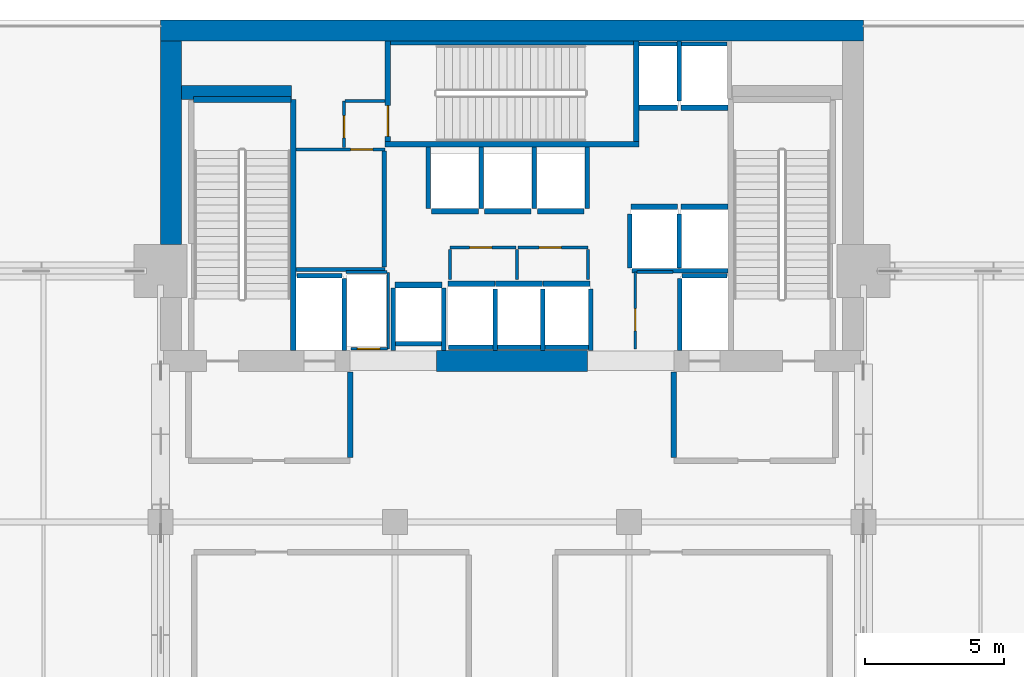
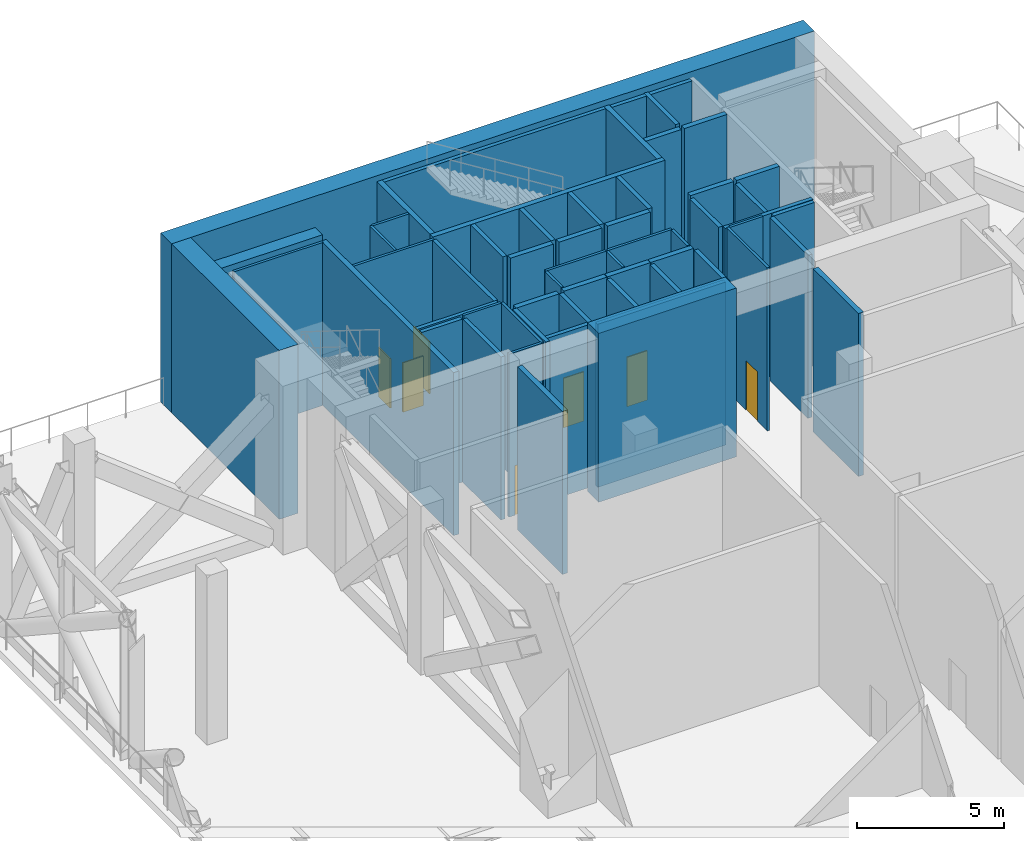
# One storey, part 10 of 14: 58 walls, 7 doors, 7 openings.
"""IFC4 building model written with IfcOpenShell, lengths in metres."""

from ifc_helpers import new_model, si_unit, direction, frame, frame_2d, origin, place, context, subcontext, project, spatial, rectangle, extrude, material, layer, layer_set, type_object, element, fill, save


model = new_model("IFC4")

# Units and contexts
model_context = context("Model", 3, precision=1e-05, world=origin(), true_north=direction((0.0, 1.0)))
body_context = subcontext(model_context, "Body", "Model", "MODEL_VIEW")
ifc_project = project(units=[si_unit("LENGTHUNIT", "METRE"), si_unit("AREAUNIT", "SQUARE_METRE"), si_unit("VOLUMEUNIT", "CUBIC_METRE"), si_unit("PLANEANGLEUNIT", "RADIAN"), si_unit("MASSUNIT", "GRAM", prefix="KILO")], contexts=[model_context])

# Site, building, storey
site_placement = place(None, origin())
site = spatial("IfcSite", under=ifc_project, at=site_placement, CompositionType="ELEMENT")
building_placement = place(site_placement, origin())
building = spatial("IfcBuilding", under=site, at=building_placement, Name="Maruvema Waterfront Hotel and Observation Tower", CompositionType="ELEMENT")
storey_placement = place(building_placement, frame((0.0, 0.0, 227.5)))
storey = spatial("IfcBuildingStorey", under=building, at=storey_placement, Name="L56", CompositionType="ELEMENT", Elevation=227.5)

# Walls
ifc_material_1 = material(Name="Twin-stud acoustic gypsum drywall", Category="gypsum")
ifc_layer_1 = layer(ifc_material_1, 0.14990234375, Name="Acoustic Corridor and Suite Demising Wall 150 mm")
ifc_layer_set_1 = layer_set([ifc_layer_1], Name="Twin-stud acoustic gypsum drywall")
wall_type_1 = type_object("IfcWallType", Name="Acoustic Corridor and Suite Demising Wall 150 mm", PredefinedType="PARTITIONING", material=ifc_layer_set_1)
wall_1_placement = place(storey_placement, frame((30.06005859375, 45.06005859375, 0.0), z_axis=(0.0, 0.0, 1.0), x_axis=(1.0, 0.0, 0.0)))
element("IfcWall", 1, at=wall_1_placement, inside=storey, type_object=wall_type_1, Name="L56 Freed B1 South Wall 017", PredefinedType="PARTITIONING", context=body_context, shape_type="SweptSolid", body=[
    extrude(rectangle(XDim=3.179931640625, YDim=0.14990234375, at=frame_2d((1.58984375, 0.0))), origin(), (0.0, 0.0, 1.0), 6.760009765625),
])
wall_2_placement = place(storey_placement, frame((33.219970703125, 45.139892578125, 0.0), z_axis=(0.0, 0.0, 1.0), x_axis=(0.0, 1.0, 0.0)))
element("IfcWall", 2, at=wall_2_placement, inside=storey, type_object=wall_type_1, Name="L56 Freed B1 East Wall 018", PredefinedType="PARTITIONING", context=body_context, shape_type="SweptSolid", body=[
    extrude(rectangle(XDim=4.16015625, YDim=0.14990234375, at=frame_2d((2.080078125, 0.0))), origin(), (0.0, 0.0, 1.0), 6.760009765625),
])
ifc_material_2 = material(Name="Precast concrete C45/55", Category="concrete")
ifc_layer_2 = layer(ifc_material_2, 0.14990234375, Name="Core Shaft Furring Wall 150 mm")
ifc_layer_set_2 = layer_set([ifc_layer_2], Name="Precast concrete C45/55")
wall_type_2 = type_object("IfcWallType", Name="Core Shaft Furring Wall 150 mm", PredefinedType="SOLIDWALL", material=ifc_layer_set_2)
wall_3_placement = place(storey_placement, frame((33.449951171875, 53.175048828125, 0.0), z_axis=(0.0, 0.0, 1.0), x_axis=(1.0, 0.0, 0.0)))
element("IfcWall", 3, at=wall_3_placement, inside=storey, type_object=wall_type_2, Name="L56 Stairwell ST-02 North Furring Wall", PredefinedType="SOLIDWALL", context=body_context, shape_type="SweptSolid", body=[
    extrude(rectangle(XDim=8.699951171875, YDim=0.14990234375, at=frame_2d((4.35009765625, 0.0))), origin(), (0.0, 0.0, 1.0), 6.760009765625),
])
ifc_material_3 = material(Name="Precast concrete C45/55", Category="concrete")
ifc_layer_3 = layer(ifc_material_3, 0.199951171875, Name="Core Shaft and Stairwell Enclosure Wall 200 mm")
ifc_layer_set_3 = layer_set([ifc_layer_3], Name="Precast concrete C45/55")
wall_type_3 = type_object("IfcWallType", Name="Core Shaft and Stairwell Enclosure Wall 200 mm", PredefinedType="SOLIDWALL", material=ifc_layer_set_3)
wall_4_placement = place(storey_placement, frame((29.949951171875, 42.14990234375, 0.0), z_axis=(0.0, 0.0, 1.0), x_axis=(0.0, 1.0, 0.0)))
element("IfcWall", 4, at=wall_4_placement, inside=storey, type_object=wall_type_3, Name="L56 Stairwell ST-01 East Shaft Wall", PredefinedType="SOLIDWALL", context=body_context, shape_type="SweptSolid", body=[
    extrude(rectangle(XDim=9.0, YDim=0.199951171875, at=frame_2d((4.5, 0.0))), origin(), (0.0, 0.0, 1.0), 6.760009765625),
])
wall_5_placement = place(storey_placement, frame((26.3798828125, 51.14990234375, 0.0), z_axis=(0.0, 0.0, 1.0), x_axis=(1.0, 0.0, 0.0)))
element("IfcWall", 5, at=wall_5_placement, inside=storey, type_object=wall_type_3, Name="L56 Stairwell ST-01 Shaft Lining Wall", PredefinedType="SOLIDWALL", context=body_context, shape_type="SweptSolid", body=[
    extrude(rectangle(XDim=3.5, YDim=0.199951171875, at=frame_2d((1.75, 0.0))), origin(), (0.0, 0.0, 1.0), 6.760009765625),
])
wall_6_placement = place(storey_placement, frame((33.25, 49.550048828125, 0.0), z_axis=(0.0, 0.0, 1.0), x_axis=(1.0, 0.0, 0.0)))
element("IfcWall", 6, at=wall_6_placement, inside=storey, type_object=wall_type_3, Name="L56 Stairwell ST-02 Shaft Wall", PredefinedType="SOLIDWALL", context=body_context, shape_type="SweptSolid", body=[
    extrude(rectangle(XDim=9.10009765625, YDim=0.199951171875, at=frame_2d((4.550048828125, 0.0))), origin(), (0.0, 0.0, 1.0), 6.760009765625),
])
wall_7_placement = place(storey_placement, frame((42.25, 49.64990234375, 0.0), z_axis=(0.0, 0.0, 1.0), x_axis=(0.0, 1.0, 0.0)))
element("IfcWall", 7, at=wall_7_placement, inside=storey, type_object=wall_type_3, Name="L56 Stairwell ST-02 Shaft Wall", PredefinedType="SOLIDWALL", context=body_context, shape_type="SweptSolid", body=[
    extrude(rectangle(XDim=3.60009765625, YDim=0.199951171875, at=frame_2d((1.800048828125, 0.0))), origin(), (0.0, 0.0, 1.0), 6.760009765625),
])

# Wall, opening, door
wall_8_placement = place(storey_placement, frame((33.35009765625, 49.64990234375, 0.0), z_axis=(0.0, 0.0, 1.0), x_axis=(0.0, 1.0, 0.0)))
wall_8 = element("IfcWall", 8, at=wall_8_placement, inside=storey, type_object=wall_type_3, Name="L56 Stairwell ST-02 Shaft Wall", PredefinedType="SOLIDWALL", context=body_context, shape_type="SweptSolid", body=[
    extrude(rectangle(XDim=3.60009765625, YDim=0.199951171875, at=frame_2d((1.800048828125, 0.0))), origin(), (0.0, 0.0, 1.0), 6.760009765625),
])
opening_1_placement = place(wall_8_placement, frame((0.179931640625, 0.0, 0.0)))
opening_1 = element("IfcOpeningElement", 9, at=opening_1_placement, cuts=wall_8, Name="Opening SD-02", PredefinedType="OPENING", context=body_context, shape_type="SweptSolid", body=[
    extrude(rectangle(XDim=1.10009765625, YDim=2.14990234375, at=frame_2d((0.550048828125, 1.074951171875))), frame((0.0, 0.10986328125, 0.0), z_axis=(0.0, -1.0, 0.0), x_axis=(1.0, 0.0, 0.0)), (0.0, 0.0, 1.0), 0.219970703125),
])
ifc_material_4 = material(Name="Fire-rated galvanised steel leaf", Category="steel")
door_type_1 = type_object("IfcDoorType", Name="Central Exit Stair Fire Door 1100x2150 mm", OperationType="NOTDEFINED", PredefinedType="DOOR", material=ifc_material_4)
door_1_placement = place(opening_1_placement, frame((1.10009765625, 0.0, 0.0), z_axis=(0.0, 0.0, 1.0), x_axis=(-1.0, 0.0, 0.0)))
door_1 = element("IfcDoor", 10, at=door_1_placement, inside=storey, type_object=door_type_1, Name="L56 Exit Stair ST-02 Fire Door", OperationType="SINGLE_SWING_LEFT", OverallHeight=2.14990234375, OverallWidth=1.10009765625, PredefinedType="DOOR", context=body_context, shape_type="SweptSolid", body=[
    extrude(rectangle(XDim=1.10009765625, YDim=2.14990234375, at=frame_2d((0.550048828125, 1.074951171875))), frame((0.0, 0.02490234375, 0.0), z_axis=(0.0, -1.0, 0.0), x_axis=(1.0, 0.0, 0.0)), (0.0, 0.0, 1.0), 0.050048828125),
])
fill(opening_1, door_1)

# Walls
for number, where, z_axis, x_axis, name in (
    (11, (42.06005859375, 47.300048828125, 0.0), (0.0, 0.0, 1.0), (1.0, 0.0, 0.0), "L56 Lift LF-05 Hoistway Front Wall"),
    (12, (43.860107421875, 47.300048828125, 0.0), (0.0, 0.0, 1.0), (1.0, 0.0, 0.0), "L56 Lift LF-06 Hoistway Front Wall"),
):
    element("IfcWall", number, at=place(storey_placement, frame(where, z_axis=z_axis, x_axis=x_axis)), inside=storey, type_object=wall_type_3, Name=name, PredefinedType="SOLIDWALL", context=body_context, shape_type="SweptSolid", body=[
        extrude(rectangle(XDim=1.679931640625, YDim=0.199951171875, at=frame_2d((0.83984375, 0.0))), origin(), (0.0, 0.0, 1.0), 6.760009765625),
    ])
wall_9_placement = place(storey_placement, frame((42.360107421875, 50.85009765625, 0.0), z_axis=(0.0, 0.0, 1.0), x_axis=(1.0, 0.0, 0.0)))
element("IfcWall", 13, at=wall_9_placement, inside=storey, type_object=wall_type_3, Name="L56 Lift LF-07 Hoistway Front Wall", PredefinedType="SOLIDWALL", context=body_context, shape_type="SweptSolid", body=[
    extrude(rectangle(XDim=1.3798828125, YDim=0.199951171875, at=frame_2d((0.68994140625, 0.0))), origin(), (0.0, 0.0, 1.0), 6.760009765625),
])
for number, where, z_axis, x_axis, name in (
    (14, (43.860107421875, 50.85009765625, 0.0), (0.0, 0.0, 1.0), (1.0, 0.0, 0.0), "L56 Lift LF-08 Hoistway Front Wall"),
    (15, (35.510009765625, 44.550048828125, 0.0), (0.0, 0.0, 1.0), (1.0, 0.0, 0.0), "L56 Lift LF-09 Hoistway Front Wall"),
    (16, (37.2099609375, 44.550048828125, 0.0), (0.0, 0.0, 1.0), (1.0, 0.0, 0.0), "L56 Lift LF-10 Hoistway Front Wall"),
):
    element("IfcWall", number, at=place(storey_placement, frame(where, z_axis=z_axis, x_axis=x_axis)), inside=storey, type_object=wall_type_3, Name=name, PredefinedType="SOLIDWALL", context=body_context, shape_type="SweptSolid", body=[
        extrude(rectangle(XDim=1.679931640625, YDim=0.199951171875, at=frame_2d((0.83984375, 0.0))), origin(), (0.0, 0.0, 1.0), 6.760009765625),
    ])
for number, where, z_axis, x_axis, name in (
    (17, (38.909912109375, 44.550048828125, 0.0), (0.0, 0.0, 1.0), (1.0, 0.0, 0.0), "L56 Lift LF-11 Hoistway Front Wall"),
    (18, (34.909912109375, 47.14990234375, 0.0), (0.0, 0.0, 1.0), (1.0, 0.0, 0.0), "L56 Lift LF-12 Hoistway Front Wall"),
):
    element("IfcWall", number, at=place(storey_placement, frame(where, z_axis=z_axis, x_axis=x_axis)), inside=storey, type_object=wall_type_3, Name=name, PredefinedType="SOLIDWALL", context=body_context, shape_type="SweptSolid", body=[
        extrude(rectangle(XDim=1.68017578125, YDim=0.199951171875, at=frame_2d((0.840087890625, 0.0))), origin(), (0.0, 0.0, 1.0), 6.760009765625),
    ])
for number, where, z_axis, x_axis, name in (
    (19, (36.81005859375, 47.14990234375, 0.0), (0.0, 0.0, 1.0), (1.0, 0.0, 0.0), "L56 Lift LF-13 Hoistway Front Wall"),
    (20, (38.7099609375, 47.14990234375, 0.0), (0.0, 0.0, 1.0), (1.0, 0.0, 0.0), "L56 Lift LF-14 Hoistway Front Wall"),
    (21, (33.610107421875, 44.5, 0.0), (0.0, 0.0, 1.0), (1.0, 0.0, 0.0), "L56 Lift LF-15 Hoistway Front Wall"),
):
    element("IfcWall", number, at=place(storey_placement, frame(where, z_axis=z_axis, x_axis=x_axis)), inside=storey, type_object=wall_type_3, Name=name, PredefinedType="SOLIDWALL", context=body_context, shape_type="SweptSolid", body=[
        extrude(rectangle(XDim=1.679931640625, YDim=0.199951171875, at=frame_2d((0.83984375, 0.0))), origin(), (0.0, 0.0, 1.0), 6.760009765625),
    ])
ifc_material_5 = material(Name="Concrete C70/85", Category="concrete")
ifc_layer_4 = layer(ifc_material_5, 0.5, Name="Core Shear Wall 500 mm")
ifc_layer_set_4 = layer_set([ifc_layer_4], Name="Concrete C70/85")
wall_type_4 = type_object("IfcWallType", Name="Core Shear Wall 500 mm", PredefinedType="SHEAR", material=ifc_layer_set_4)
wall_10_placement = place(storey_placement, frame((25.949951171875, 51.39990234375, 0.0), z_axis=(0.0, 0.0, 1.0), x_axis=(1.0, 0.0, 0.0)))
element("IfcWall", 22, at=wall_10_placement, inside=storey, type_object=wall_type_4, Name="L56 Internal Core Shear Wall NW 500 mm", PredefinedType="SHEAR", context=body_context, shape_type="SweptSolid", body=[
    extrude(rectangle(XDim=3.949951171875, YDim=0.5, at=frame_2d((1.97509765625, 0.0))), origin(), (0.0, 0.0, 1.0), 7.0),
])
ifc_material_6 = material(Name="Concrete C70/85", Category="concrete")
ifc_layer_5 = layer(ifc_material_6, 0.75, Name="Core Shear Wall 750 mm")
ifc_layer_set_5 = layer_set([ifc_layer_5], Name="Concrete C70/85")
wall_type_5 = type_object("IfcWallType", Name="Core Shear Wall 750 mm", PredefinedType="SHEAR", material=ifc_layer_set_5)
wall_11_placement = place(storey_placement, frame((25.199951171875, 53.625, 0.0), z_axis=(0.0, 0.0, 1.0), x_axis=(1.0, 0.0, 0.0)))
element("IfcWall", 23, at=wall_11_placement, inside=storey, type_object=wall_type_5, Name="L56 North Core Shear Wall", PredefinedType="SHEAR", context=body_context, shape_type="SweptSolid", body=[
    extrude(rectangle(XDim=25.199951171875, YDim=0.75, at=frame_2d((12.60009765625, 0.0))), origin(), (0.0, 0.0, 1.0), 7.0),
])
wall_12_placement = place(storey_placement, frame((35.10009765625, 41.77490234375, 0.0), z_axis=(0.0, 0.0, 1.0), x_axis=(1.0, 0.0, 0.0)))
element("IfcWall", 24, at=wall_12_placement, inside=storey, type_object=wall_type_5, Name="L56 South-Central Core Shear Wall", PredefinedType="SHEAR", context=body_context, shape_type="SweptSolid", body=[
    extrude(rectangle(XDim=5.39990234375, YDim=0.75, at=frame_2d((2.699951171875, 0.0))), origin(), (0.0, 0.0, 1.0), 7.0),
])
wall_13_placement = place(storey_placement, frame((25.574951171875, 45.949951171875, 0.0), z_axis=(0.0, 0.0, 1.0), x_axis=(0.0, 1.0, 0.0)))
element("IfcWall", 25, at=wall_13_placement, inside=storey, type_object=wall_type_5, Name="L56 West-North Core Shear Wall", PredefinedType="SHEAR", context=body_context, shape_type="SweptSolid", body=[
    extrude(rectangle(XDim=7.300048828125, YDim=0.75, at=frame_2d((3.64990234375, 0.0))), origin(), (0.0, 0.0, 1.0), 7.0),
])

# Wall, opening, door
ifc_material_7 = material(Name="Moisture-resistant cement-board drywall", Category="gypsum")
ifc_layer_6 = layer(ifc_material_7, 0.10009765625, Name="En-Suite Moisture-Resistant Partition 100 mm")
ifc_layer_set_6 = layer_set([ifc_layer_6], Name="Moisture-resistant cement-board drywall")
wall_type_6 = type_object("IfcWallType", Name="En-Suite Moisture-Resistant Partition 100 mm", PredefinedType="PARTITIONING", material=ifc_layer_set_6)
wall_14_placement = place(storey_placement, frame((32.02001953125, 42.2099609375, 0.0), z_axis=(0.0, 0.0, 1.0), x_axis=(1.0, 0.0, 0.0)))
wall_14 = element("IfcWall", 26, at=wall_14_placement, inside=storey, type_object=wall_type_6, Name="L56 Telecom Riser South Wall 007", PredefinedType="PARTITIONING", context=body_context, shape_type="SweptSolid", body=[
    extrude(rectangle(XDim=1.320068359375, YDim=0.10009765625, at=frame_2d((0.66015625, 0.0))), origin(), (0.0, 0.0, 1.0), 6.760009765625),
])
opening_2_placement = place(wall_14_placement, frame((0.239990234375, 0.0, 0.0)))
opening_2 = element("IfcOpeningElement", 27, at=opening_2_placement, cuts=wall_14, Name="Opening DR-080", PredefinedType="OPENING", context=body_context, shape_type="SweptSolid", body=[
    extrude(rectangle(XDim=0.800048828125, YDim=2.050048828125, at=frame_2d((0.39990234375, 1.02490234375))), frame((0.0, 0.06005859375, 0.0), z_axis=(0.0, -1.0, 0.0), x_axis=(1.0, 0.0, 0.0)), (0.0, 0.0, 1.0), 0.1201171875),
])
ifc_material_8 = material(Name="Powder-coated steel access leaf", Category="steel")
door_type_2 = type_object("IfcDoorType", Name="Riser and Service Cupboard Door 800x2050 mm", OperationType="NOTDEFINED", PredefinedType="DOOR", material=ifc_material_8)
door_2_placement = place(opening_2_placement, frame((0.800048828125, 0.0, 0.0), z_axis=(0.0, 0.0, 1.0), x_axis=(-1.0, 0.0, 0.0)))
door_2 = element("IfcDoor", 28, at=door_2_placement, inside=storey, type_object=door_type_2, Name="L56 Telecom Riser Door", OperationType="SINGLE_SWING_RIGHT", OverallHeight=2.050048828125, OverallWidth=0.800048828125, PredefinedType="DOOR", context=body_context, shape_type="SweptSolid", body=[
    extrude(rectangle(XDim=0.800048828125, YDim=2.050048828125, at=frame_2d((0.39990234375, 1.02490234375))), frame((0.0, 0.02490234375, 0.0), z_axis=(0.0, -1.0, 0.0), x_axis=(1.0, 0.0, 0.0)), (0.0, 0.0, 1.0), 0.050048828125),
])
fill(opening_2, door_2)

# Walls
wall_15_placement = place(storey_placement, frame((31.840087890625, 44.9599609375, 0.0), z_axis=(0.0, 0.0, 1.0), x_axis=(1.0, 0.0, 0.0)))
element("IfcWall", 29, at=wall_15_placement, inside=storey, type_object=wall_type_6, Name="L56 Telecom Riser North Wall 008", PredefinedType="PARTITIONING", context=body_context, shape_type="SweptSolid", body=[
    extrude(rectangle(XDim=1.47998046875, YDim=0.10009765625, at=frame_2d((0.739990234375, 0.0))), origin(), (0.0, 0.0, 1.0), 6.760009765625),
])
wall_16_placement = place(storey_placement, frame((33.360107421875, 42.2099609375, 0.0), z_axis=(0.0, 0.0, 1.0), x_axis=(0.0, 1.0, 0.0)))
element("IfcWall", 30, at=wall_16_placement, inside=storey, type_object=wall_type_6, Name="L56 Telecom Riser East Wall 009", PredefinedType="PARTITIONING", context=body_context, shape_type="SweptSolid", body=[
    extrude(rectangle(XDim=2.72998046875, YDim=0.10009765625, at=frame_2d((1.364990234375, 0.0))), origin(), (0.0, 0.0, 1.0), 6.760009765625),
])

# Wall, opening, door
wall_17_placement = place(storey_placement, frame((35.580078125, 45.840087890625, 0.0), z_axis=(0.0, 0.0, 1.0), x_axis=(1.0, 0.0, 0.0)))
wall_17 = element("IfcWall", 31, at=wall_17_placement, inside=storey, type_object=wall_type_6, Name="L56 Core Closet K2A North 010", PredefinedType="PARTITIONING", context=body_context, shape_type="SweptSolid", body=[
    extrude(rectangle(XDim=2.35986328125, YDim=0.10009765625, at=frame_2d((1.179931640625, 0.0))), origin(), (0.0, 0.0, 1.0), 6.760009765625),
])
opening_3_placement = place(wall_17_placement, frame((0.699951171875, 0.0, 0.0)))
opening_3 = element("IfcOpeningElement", 32, at=opening_3_placement, cuts=wall_17, Name="Opening DR-080", PredefinedType="OPENING", context=body_context, shape_type="SweptSolid", body=[
    extrude(rectangle(XDim=0.800048828125, YDim=2.050048828125, at=frame_2d((0.39990234375, 1.02490234375))), frame((0.0, 0.06005859375, 0.0), z_axis=(0.0, -1.0, 0.0), x_axis=(1.0, 0.0, 0.0)), (0.0, 0.0, 1.0), 0.1201171875),
])
door_3_placement = place(opening_3_placement, origin())
door_3 = element("IfcDoor", 33, at=door_3_placement, inside=storey, type_object=door_type_2, Name="L56 Plant Control Closet Door", OperationType="SINGLE_SWING_LEFT", OverallHeight=2.050048828125, OverallWidth=0.800048828125, PredefinedType="DOOR", context=body_context, shape_type="SweptSolid", body=[
    extrude(rectangle(XDim=0.800048828125, YDim=2.050048828125, at=frame_2d((0.39990234375, 1.02490234375))), frame((0.0, 0.02490234375, 0.0), z_axis=(0.0, -1.0, 0.0), x_axis=(1.0, 0.0, 0.0)), (0.0, 0.0, 1.0), 0.050048828125),
])
fill(opening_3, door_3)

wall_18_placement = place(storey_placement, frame((38.02001953125, 45.840087890625, 0.0), z_axis=(0.0, 0.0, 1.0), x_axis=(1.0, 0.0, 0.0)))
wall_18 = element("IfcWall", 34, at=wall_18_placement, inside=storey, type_object=wall_type_6, Name="L56 Core Closet K2B North 011", PredefinedType="PARTITIONING", context=body_context, shape_type="SweptSolid", body=[
    extrude(rectangle(XDim=2.5, YDim=0.10009765625, at=frame_2d((1.25, 0.0))), origin(), (0.0, 0.0, 1.0), 6.760009765625),
])
opening_4_placement = place(wall_18_placement, frame((0.75, 0.0, 0.0)))
opening_4 = element("IfcOpeningElement", 35, at=opening_4_placement, cuts=wall_18, Name="Opening DR-080", PredefinedType="OPENING", context=body_context, shape_type="SweptSolid", body=[
    extrude(rectangle(XDim=0.800048828125, YDim=2.050048828125, at=frame_2d((0.39990234375, 1.02490234375))), frame((0.0, 0.06005859375, 0.0), z_axis=(0.0, -1.0, 0.0), x_axis=(1.0, 0.0, 0.0)), (0.0, 0.0, 1.0), 0.1201171875),
])
door_4_placement = place(opening_4_placement, origin())
door_4 = element("IfcDoor", 36, at=door_4_placement, inside=storey, type_object=door_type_2, Name="L56 Plant Valve Closet Door", OperationType="SINGLE_SWING_RIGHT", OverallHeight=2.050048828125, OverallWidth=0.800048828125, PredefinedType="DOOR", context=body_context, shape_type="SweptSolid", body=[
    extrude(rectangle(XDim=0.800048828125, YDim=2.050048828125, at=frame_2d((0.39990234375, 1.02490234375))), frame((0.0, 0.02490234375, 0.0), z_axis=(0.0, -1.0, 0.0), x_axis=(1.0, 0.0, 0.0)), (0.0, 0.0, 1.0), 0.050048828125),
])
fill(opening_4, door_4)

# Walls
for number, where, z_axis, x_axis, name in (
    (37, (35.580078125, 44.699951171875, 0.0), (0.0, 0.0, 1.0), (0.0, 1.0, 0.0), "L56 Core Closet K2 West 012"),
    (38, (37.97998046875, 44.699951171875, 0.0), (0.0, 0.0, 1.0), (0.0, 1.0, 0.0), "L56 Core Closet K2 Mid 013"),
    (39, (40.52001953125, 44.699951171875, 0.0), (0.0, 0.0, 1.0), (0.0, 1.0, 0.0), "L56 Core Closet K2 East 014"),
):
    element("IfcWall", number, at=place(storey_placement, frame(where, z_axis=z_axis, x_axis=x_axis)), inside=storey, type_object=wall_type_6, Name=name, PredefinedType="PARTITIONING", context=body_context, shape_type="SweptSolid", body=[
        extrude(rectangle(XDim=1.080078125, YDim=0.10009765625, at=frame_2d((0.5400390625, 0.0))), origin(), (0.0, 0.0, 1.0), 6.760009765625),
    ])

# Wall, opening, door
wall_19_placement = place(storey_placement, frame((42.219970703125, 42.199951171875, 0.0), z_axis=(0.0, 0.0, 1.0), x_axis=(0.0, 1.0, 0.0)))
wall_19 = element("IfcWall", 40, at=wall_19_placement, inside=storey, type_object=wall_type_6, Name="L56 Core Closet K2C West 015", PredefinedType="PARTITIONING", context=body_context, shape_type="SweptSolid", body=[
    extrude(rectangle(XDim=2.760009765625, YDim=0.10009765625, at=frame_2d((1.3798828125, 0.0))), origin(), (0.0, 0.0, 1.0), 6.760009765625),
])
opening_5_placement = place(wall_19_placement, frame((0.64990234375, 0.0, 0.0)))
opening_5 = element("IfcOpeningElement", 41, at=opening_5_placement, cuts=wall_19, Name="Opening DR-080", PredefinedType="OPENING", context=body_context, shape_type="SweptSolid", body=[
    extrude(rectangle(XDim=0.800048828125, YDim=2.050048828125, at=frame_2d((0.39990234375, 1.02490234375))), frame((0.0, 0.06005859375, 0.0), z_axis=(0.0, -1.0, 0.0), x_axis=(1.0, 0.0, 0.0)), (0.0, 0.0, 1.0), 0.1201171875),
])
door_5_placement = place(opening_5_placement, frame((0.800048828125, 0.0, 0.0), z_axis=(0.0, 0.0, 1.0), x_axis=(-1.0, 0.0, 0.0)))
door_5 = element("IfcDoor", 42, at=door_5_placement, inside=storey, type_object=door_type_2, Name="L56 Plant Fire Closet Door", OperationType="SINGLE_SWING_LEFT", OverallHeight=2.050048828125, OverallWidth=0.800048828125, PredefinedType="DOOR", context=body_context, shape_type="SweptSolid", body=[
    extrude(rectangle(XDim=0.800048828125, YDim=2.050048828125, at=frame_2d((0.39990234375, 1.02490234375))), frame((0.0, 0.02490234375, 0.0), z_axis=(0.0, -1.0, 0.0), x_axis=(1.0, 0.0, 0.0)), (0.0, 0.0, 1.0), 0.050048828125),
])
fill(opening_5, door_5)

# Wall
wall_20_placement = place(storey_placement, frame((42.280029296875, 44.9599609375, 0.0), z_axis=(0.0, 0.0, 1.0), x_axis=(1.0, 0.0, 0.0)))
element("IfcWall", 43, at=wall_20_placement, inside=storey, type_object=wall_type_6, Name="L56 Core Closet K2C North 016", PredefinedType="PARTITIONING", context=body_context, shape_type="SweptSolid", body=[
    extrude(rectangle(XDim=1.300048828125, YDim=0.10009765625, at=frame_2d((0.64990234375, 0.0))), origin(), (0.0, 0.0, 1.0), 6.760009765625),
])

# Wall, opening, door
wall_21_placement = place(storey_placement, frame((30.06005859375, 49.360107421875, 0.0), z_axis=(0.0, 0.0, 1.0), x_axis=(1.0, 0.0, 0.0)))
wall_21 = element("IfcWall", 44, at=wall_21_placement, inside=storey, type_object=wall_type_6, Name="L56 Freed B1 Mid Wall 019", PredefinedType="PARTITIONING", context=body_context, shape_type="SweptSolid", body=[
    extrude(rectangle(XDim=3.179931640625, YDim=0.10009765625, at=frame_2d((1.58984375, 0.0))), origin(), (0.0, 0.0, 1.0), 6.760009765625),
])
opening_6_placement = place(wall_21_placement, frame((1.949951171875, 0.0, 0.0)))
opening_6 = element("IfcOpeningElement", 45, at=opening_6_placement, cuts=wall_21, Name="Opening DR-080", PredefinedType="OPENING", context=body_context, shape_type="SweptSolid", body=[
    extrude(rectangle(XDim=0.800048828125, YDim=2.050048828125, at=frame_2d((0.39990234375, 1.02490234375))), frame((0.0, 0.06005859375, 0.0), z_axis=(0.0, -1.0, 0.0), x_axis=(1.0, 0.0, 0.0)), (0.0, 0.0, 1.0), 0.1201171875),
])
door_6_placement = place(opening_6_placement, origin())
door_6 = element("IfcDoor", 46, at=door_6_placement, inside=storey, type_object=door_type_2, Name="L56 Plant Equipment Store West Door", OperationType="SINGLE_SWING_RIGHT", OverallHeight=2.050048828125, OverallWidth=0.800048828125, PredefinedType="DOOR", context=body_context, shape_type="SweptSolid", body=[
    extrude(rectangle(XDim=0.800048828125, YDim=2.050048828125, at=frame_2d((0.39990234375, 1.02490234375))), frame((0.0, 0.02490234375, 0.0), z_axis=(0.0, -1.0, 0.0), x_axis=(1.0, 0.0, 0.0)), (0.0, 0.0, 1.0), 0.050048828125),
])
fill(opening_6, door_6)

wall_22_placement = place(storey_placement, frame((31.780029296875, 49.419921875, 0.0), z_axis=(0.0, 0.0, 1.0), x_axis=(0.0, 1.0, 0.0)))
wall_22 = element("IfcWall", 47, at=wall_22_placement, inside=storey, type_object=wall_type_6, Name="L56 Freed B1 NW East Wall 020", PredefinedType="PARTITIONING", context=body_context, shape_type="SweptSolid", body=[
    extrude(rectangle(XDim=1.68017578125, YDim=0.10009765625, at=frame_2d((0.840087890625, 0.0))), origin(), (0.0, 0.0, 1.0), 6.760009765625),
])
opening_7_placement = place(wall_22_placement, frame((0.35009765625, 0.0, 0.0)))
opening_7 = element("IfcOpeningElement", 48, at=opening_7_placement, cuts=wall_22, Name="Opening DR-080", PredefinedType="OPENING", context=body_context, shape_type="SweptSolid", body=[
    extrude(rectangle(XDim=0.800048828125, YDim=2.050048828125, at=frame_2d((0.39990234375, 1.02490234375))), frame((0.0, 0.06005859375, 0.0), z_axis=(0.0, -1.0, 0.0), x_axis=(1.0, 0.0, 0.0)), (0.0, 0.0, 1.0), 0.1201171875),
])
door_7_placement = place(opening_7_placement, origin())
door_7 = element("IfcDoor", 49, at=door_7_placement, inside=storey, type_object=door_type_2, Name="L56 Plant Electrical Closet West Door", OperationType="SINGLE_SWING_LEFT", OverallHeight=2.050048828125, OverallWidth=0.800048828125, PredefinedType="DOOR", context=body_context, shape_type="SweptSolid", body=[
    extrude(rectangle(XDim=0.800048828125, YDim=2.050048828125, at=frame_2d((0.39990234375, 1.02490234375))), frame((0.0, 0.02490234375, 0.0), z_axis=(0.0, -1.0, 0.0), x_axis=(1.0, 0.0, 0.0)), (0.0, 0.0, 1.0), 0.050048828125),
])
fill(opening_7, door_7)

# Walls
wall_23_placement = place(storey_placement, frame((31.820068359375, 51.10009765625, 0.0), z_axis=(0.0, 0.0, 1.0), x_axis=(1.0, 0.0, 0.0)))
element("IfcWall", 50, at=wall_23_placement, inside=storey, type_object=wall_type_6, Name="L56 Freed B1 Vestibule North Wall 021", PredefinedType="PARTITIONING", context=body_context, shape_type="SweptSolid", body=[
    extrude(rectangle(XDim=1.419921875, YDim=0.10009765625, at=frame_2d((0.7099609375, 0.0))), origin(), (0.0, 0.0, 1.0), 6.760009765625),
])
ifc_material_9 = material(Name="Autoclaved cellular concrete blockwork", Category="masonry")
ifc_layer_7 = layer(ifc_material_9, 0.199951171875, Name="Fire Compartment Masonry Wall 200 mm")
ifc_layer_set_7 = layer_set([ifc_layer_7], Name="Autoclaved cellular concrete blockwork")
wall_type_7 = type_object("IfcWallType", Name="Fire Compartment Masonry Wall 200 mm", PredefinedType="PARTITIONING", material=ifc_layer_set_7)
for number, where, z_axis, x_axis, name in (
    (51, (32.0, 38.31005859375, 0.0), (0.0, 0.0, 1.0), (0.0, 1.0, 0.0), "L56 FFL West East Wall 003"),
    (52, (43.60009765625, 38.31005859375, 0.0), (0.0, 0.0, 1.0), (0.0, 1.0, 0.0), "L56 FFL East West Wall 005"),
):
    element("IfcWall", number, at=place(storey_placement, frame(where, z_axis=z_axis, x_axis=x_axis)), inside=storey, type_object=wall_type_7, Name=name, PredefinedType="PARTITIONING", context=body_context, shape_type="SweptSolid", body=[
        extrude(rectangle(XDim=3.06982421875, YDim=0.199951171875, at=frame_2d((1.534912109375, 0.0))), origin(), (0.0, 0.0, 1.0), 6.760009765625),
    ])
ifc_material_10 = material(Name="Precast concrete C45/55", Category="concrete")
ifc_layer_8 = layer(ifc_material_10, 0.159912109375, Name="Lift Hoistway Divider Wall 160 mm")
ifc_layer_set_8 = layer_set([ifc_layer_8], Name="Precast concrete C45/55")
wall_type_8 = type_object("IfcWallType", Name="Lift Hoistway Divider Wall 160 mm", PredefinedType="SOLIDWALL", material=ifc_layer_set_8)
wall_24_placement = place(storey_placement, frame((30.10009765625, 44.830078125, 0.0), z_axis=(0.0, 0.0, 1.0), x_axis=(1.0, 0.0, 0.0)))
element("IfcWall", 53, at=wall_24_placement, inside=storey, type_object=wall_type_8, Name="L56 Lift FL-01 Rear Hoistway Wall", PredefinedType="SOLIDWALL", context=body_context, shape_type="SweptSolid", body=[
    extrude(rectangle(XDim=1.599853515625, YDim=0.159912109375, at=frame_2d((0.7998046875, 0.0))), origin(), (0.0, 0.0, 1.0), 6.760009765625),
])
wall_25_placement = place(storey_placement, frame((31.780029296875, 42.14990234375, 0.0), z_axis=(0.0, 0.0, 1.0), x_axis=(0.0, 1.0, 0.0)))
element("IfcWall", 54, at=wall_25_placement, inside=storey, type_object=wall_type_8, Name="L56 Lift FL-01 Inner Hoistway Wall", PredefinedType="SOLIDWALL", context=body_context, shape_type="SweptSolid", body=[
    extrude(rectangle(XDim=2.590087890625, YDim=0.159912109375, at=frame_2d((1.294921875, 0.0))), origin(), (0.0, 0.0, 1.0), 6.760009765625),
])
wall_26_placement = place(storey_placement, frame((43.89990234375, 44.830078125, 0.0), z_axis=(0.0, 0.0, 1.0), x_axis=(1.0, 0.0, 0.0)))
element("IfcWall", 55, at=wall_26_placement, inside=storey, type_object=wall_type_8, Name="L56 Lift FL-02 Rear Hoistway Wall", PredefinedType="SOLIDWALL", context=body_context, shape_type="SweptSolid", body=[
    extrude(rectangle(XDim=1.60009765625, YDim=0.159912109375, at=frame_2d((0.800048828125, 0.0))), origin(), (0.0, 0.0, 1.0), 6.760009765625),
])
wall_27_placement = place(storey_placement, frame((43.820068359375, 42.14990234375, 0.0), z_axis=(0.0, 0.0, 1.0), x_axis=(0.0, 1.0, 0.0)))
element("IfcWall", 56, at=wall_27_placement, inside=storey, type_object=wall_type_8, Name="L56 Lift FL-02 Inner Hoistway Wall", PredefinedType="SOLIDWALL", context=body_context, shape_type="SweptSolid", body=[
    extrude(rectangle(XDim=2.590087890625, YDim=0.159912109375, at=frame_2d((1.294921875, 0.0))), origin(), (0.0, 0.0, 1.0), 6.760009765625),
])
for number, where, z_axis, x_axis, name in (
    (57, (42.02001953125, 45.10009765625, 0.0), (0.0, 0.0, 1.0), (0.0, 1.0, 0.0), "L56 Hoistway Divider Wall"),
    (58, (43.800048828125, 45.10009765625, 0.0), (0.0, 0.0, 1.0), (0.0, 1.0, 0.0), "L56 Hoistway Divider Wall"),
):
    element("IfcWall", number, at=place(storey_placement, frame(where, z_axis=z_axis, x_axis=x_axis)), inside=storey, type_object=wall_type_8, Name=name, PredefinedType="SOLIDWALL", context=body_context, shape_type="SweptSolid", body=[
        extrude(rectangle(XDim=1.949951171875, YDim=0.159912109375, at=frame_2d((0.97509765625, 0.0))), origin(), (0.0, 0.0, 1.0), 6.760009765625),
    ])
wall_28_placement = place(storey_placement, frame((42.10009765625, 45.010009765625, 0.0), z_axis=(0.0, 0.0, 1.0), x_axis=(1.0, 0.0, 0.0)))
element("IfcWall", 59, at=wall_28_placement, inside=storey, type_object=wall_type_8, Name="L56 Hoistway Divider Wall", PredefinedType="SOLIDWALL", context=body_context, shape_type="SweptSolid", body=[
    extrude(rectangle(XDim=3.449951171875, YDim=0.159912109375, at=frame_2d((1.72509765625, 0.0))), origin(), (0.0, 0.0, 1.0), 6.760009765625),
])
wall_29_placement = place(storey_placement, frame((43.800048828125, 51.10009765625, 0.0), z_axis=(0.0, 0.0, 1.0), x_axis=(0.0, 1.0, 0.0)))
element("IfcWall", 60, at=wall_29_placement, inside=storey, type_object=wall_type_8, Name="L56 Hoistway Divider Wall", PredefinedType="SOLIDWALL", context=body_context, shape_type="SweptSolid", body=[
    extrude(rectangle(XDim=2.14990234375, YDim=0.159912109375, at=frame_2d((1.074951171875, 0.0))), origin(), (0.0, 0.0, 1.0), 6.760009765625),
])
wall_30_placement = place(storey_placement, frame((42.360107421875, 53.139892578125, 0.0), z_axis=(0.0, 0.0, 1.0), x_axis=(1.0, 0.0, 0.0)))
element("IfcWall", 61, at=wall_30_placement, inside=storey, type_object=wall_type_8, Name="L56 Hoistway Divider Wall", PredefinedType="SOLIDWALL", context=body_context, shape_type="SweptSolid", body=[
    extrude(rectangle(XDim=3.139892578125, YDim=0.159912109375, at=frame_2d((1.56982421875, 0.0))), origin(), (0.0, 0.0, 1.0), 6.760009765625),
])
for number, where, z_axis, x_axis, name in (
    (62, (37.199951171875, 42.14990234375, 0.0), (0.0, 0.0, 1.0), (0.0, 1.0, 0.0), "L56 Hoistway Divider Wall"),
    (63, (38.89990234375, 42.14990234375, 0.0), (0.0, 0.0, 1.0), (0.0, 1.0, 0.0), "L56 Hoistway Divider Wall"),
    (64, (40.6201171875, 42.14990234375, 0.0), (0.0, 0.0, 1.0), (0.0, 1.0, 0.0), "L56 Hoistway Divider Wall"),
):
    element("IfcWall", number, at=place(storey_placement, frame(where, z_axis=z_axis, x_axis=x_axis)), inside=storey, type_object=wall_type_8, Name=name, PredefinedType="SOLIDWALL", context=body_context, shape_type="SweptSolid", body=[
        extrude(rectangle(XDim=2.2001953125, YDim=0.159912109375, at=frame_2d((1.10009765625, 0.0))), origin(), (0.0, 0.0, 1.0), 6.760009765625),
    ])
wall_31_placement = place(storey_placement, frame((35.52001953125, 42.260009765625, 0.0), z_axis=(0.0, 0.0, 1.0), x_axis=(1.0, 0.0, 0.0)))
element("IfcWall", 65, at=wall_31_placement, inside=storey, type_object=wall_type_8, Name="L56 Hoistway Divider Wall", PredefinedType="SOLIDWALL", context=body_context, shape_type="SweptSolid", body=[
    extrude(rectangle(XDim=5.02001953125, YDim=0.159912109375, at=frame_2d((2.510009765625, 0.0))), origin(), (0.0, 0.0, 1.0), 6.760009765625),
])
for number, where, z_axis, x_axis, name in (
    (66, (34.800048828125, 47.25, 0.0), (0.0, 0.0, 1.0), (0.0, 1.0, 0.0), "L56 Hoistway Divider Wall"),
    (67, (36.699951171875, 47.25, 0.0), (0.0, 0.0, 1.0), (0.0, 1.0, 0.0), "L56 Hoistway Divider Wall"),
    (68, (38.60009765625, 47.25, 0.0), (0.0, 0.0, 1.0), (0.0, 1.0, 0.0), "L56 Hoistway Divider Wall"),
    (69, (40.5, 47.25, 0.0), (0.0, 0.0, 1.0), (0.0, 1.0, 0.0), "L56 Hoistway Divider Wall"),
):
    element("IfcWall", number, at=place(storey_placement, frame(where, z_axis=z_axis, x_axis=x_axis)), inside=storey, type_object=wall_type_8, Name=name, PredefinedType="SOLIDWALL", context=body_context, shape_type="SweptSolid", body=[
        extrude(rectangle(XDim=2.18994140625, YDim=0.159912109375, at=frame_2d((1.094970703125, 0.0))), origin(), (0.0, 0.0, 1.0), 6.760009765625),
    ])
for number, where, z_axis, x_axis, name in (
    (70, (33.5400390625, 42.14990234375, 0.0), (0.0, 0.0, 1.0), (0.0, 1.0, 0.0), "L56 Hoistway Divider Wall"),
    (71, (35.360107421875, 42.14990234375, 0.0), (0.0, 0.0, 1.0), (0.0, 1.0, 0.0), "L56 Hoistway Divider Wall"),
):
    element("IfcWall", number, at=place(storey_placement, frame(where, z_axis=z_axis, x_axis=x_axis)), inside=storey, type_object=wall_type_8, Name=name, PredefinedType="SOLIDWALL", context=body_context, shape_type="SweptSolid", body=[
        extrude(rectangle(XDim=2.25, YDim=0.159912109375, at=frame_2d((1.125, 0.0))), origin(), (0.0, 0.0, 1.0), 6.760009765625),
    ])
wall_32_placement = place(storey_placement, frame((33.6201171875, 42.39990234375, 0.0), z_axis=(0.0, 0.0, 1.0), x_axis=(1.0, 0.0, 0.0)))
element("IfcWall", 72, at=wall_32_placement, inside=storey, type_object=wall_type_8, Name="L56 Hoistway Divider Wall", PredefinedType="SOLIDWALL", context=body_context, shape_type="SweptSolid", body=[
    extrude(rectangle(XDim=1.659912109375, YDim=0.159912109375, at=frame_2d((0.830078125, 0.0))), origin(), (0.0, 0.0, 1.0), 6.760009765625),
])

save(model, "model.ifc")
